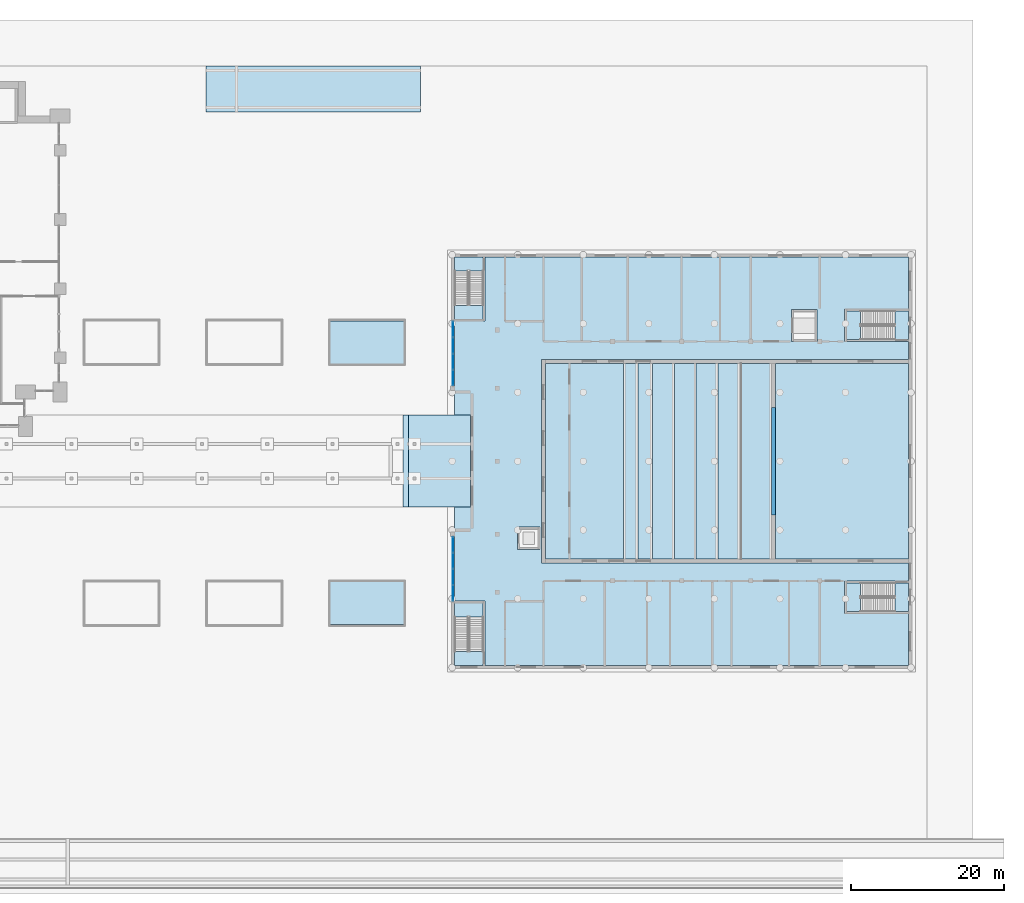
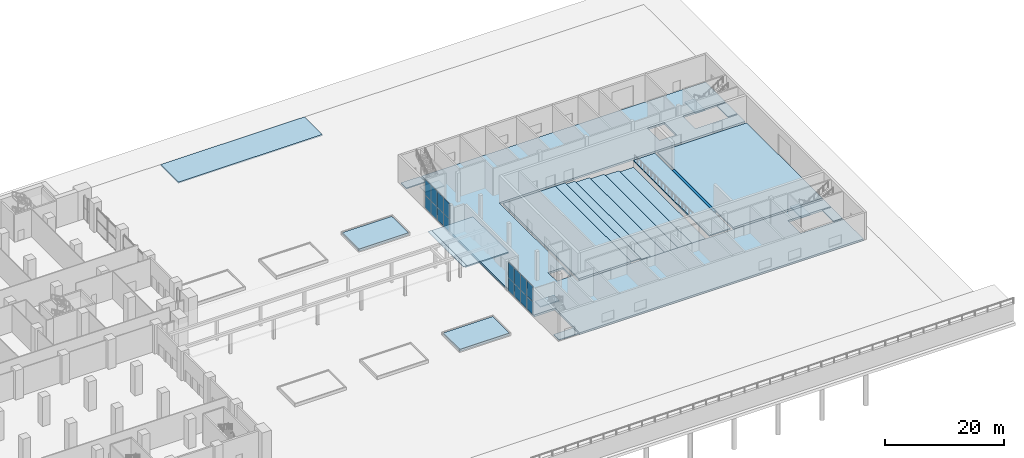
# One storey, part 12 of 47: 23 slabs, 17 plates, 6 elements without a shape of their own.
"""IFC4 building model written with IfcOpenShell, lengths in metres."""

from ifc_helpers import new_model, si_unit, direction, frame, origin, origin_2d, place, context, subcontext, project, spatial, polyline, rectangle, outline, extrude, material, layer, layer_set, type_object, element, aggregate, save


model = new_model("IFC4")

# Units and contexts
model_context = context("Model", 3, precision=1e-05, world=origin(), true_north=direction((0.0, 1.0)))
body_context = subcontext(model_context, "Body", "Model", "MODEL_VIEW")
ifc_project = project(units=[si_unit("LENGTHUNIT", "METRE"), si_unit("AREAUNIT", "SQUARE_METRE"), si_unit("VOLUMEUNIT", "CUBIC_METRE"), si_unit("PLANEANGLEUNIT", "RADIAN"), si_unit("MASSUNIT", "GRAM", prefix="KILO")], contexts=[model_context])

# Site, building, storey
site_placement = place(None, origin())
site = spatial("IfcSite", under=ifc_project, at=site_placement, CompositionType="ELEMENT")
building_placement = place(site_placement, origin())
building = spatial("IfcBuilding", under=site, at=building_placement, Name="Hunhe Ridgeline Campus", CompositionType="ELEMENT")
storey_placement = place(building_placement, origin())
storey = spatial("IfcBuildingStorey", under=building, at=storey_placement, Name="L00", CompositionType="ELEMENT", Elevation=0.0)

# Curtain wall, plates
ifc_material_1 = material(Name="Aluminium and glass", Category="aluminium")
curtain_wall_type = type_object("IfcCurtainWallType", Name="Hall foyer curtain wall CW-H", PredefinedType="NOTDEFINED", material=ifc_material_1)
curtain_wall_1_placement = place(storey_placement, origin())
curtain_wall_1 = element("IfcCurtainWall", 1, at=curtain_wall_1_placement, inside=storey, type_object=curtain_wall_type, Name="L00 foyer curtain wall 1", PredefinedType="NOTDEFINED")
ifc_material_2 = material(Name="Clear glass", Category="glass")
ifc_layer_1 = layer(ifc_material_2, 0.031982421875)
ifc_layer_set_1 = layer_set([ifc_layer_1], Name="CW-H clear glass panel 32")
plate_type_1 = type_object("IfcPlateType", Name="CW-H clear glass panel 32", PredefinedType="CURTAIN_PANEL", material=ifc_layer_set_1)
plate_1_placement = place(storey_placement, frame((150.199951171875, 32.326171875, 0.080078125), z_axis=(0.0, 0.0, 1.0), x_axis=(0.0, 1.0, 0.0)))
plate_1 = element("IfcPlate", 2, at=plate_1_placement, type_object=plate_type_1, Name="HCW1 panel 1.1", PredefinedType="CURTAIN_PANEL", context=body_context, shape_type="SweptSolid", body=[
    extrude(rectangle(XDim=1.992431640625, YDim=0.028076171875, at=origin_2d()), origin(), (0.0, 0.0, 1.0), 2.580078125),
])
plate_2_placement = place(storey_placement, frame((150.199951171875, 32.326171875, 2.740234375), z_axis=(0.0, 0.0, 1.0), x_axis=(0.0, 1.0, 0.0)))
plate_2 = element("IfcPlate", 3, at=plate_2_placement, type_object=plate_type_1, Name="HCW1 panel 1.2", PredefinedType="CURTAIN_PANEL", context=body_context, shape_type="SweptSolid", body=[
    extrude(rectangle(XDim=1.992431640625, YDim=0.028076171875, at=origin_2d()), origin(), (0.0, 0.0, 1.0), 3.179931640625),
])
plate_3_placement = place(storey_placement, frame((150.199951171875, 34.418701171875, 0.080078125), z_axis=(0.0, 0.0, 1.0), x_axis=(0.0, 1.0, 0.0)))
plate_3 = element("IfcPlate", 4, at=plate_3_placement, type_object=plate_type_1, Name="HCW1 panel 2.1", PredefinedType="CURTAIN_PANEL", context=body_context, shape_type="SweptSolid", body=[
    extrude(rectangle(XDim=2.032470703125, YDim=0.028076171875, at=origin_2d()), origin(), (0.0, 0.0, 1.0), 2.580078125),
])
plate_4_placement = place(storey_placement, frame((150.199951171875, 34.418701171875, 2.740234375), z_axis=(0.0, 0.0, 1.0), x_axis=(0.0, 1.0, 0.0)))
plate_4 = element("IfcPlate", 5, at=plate_4_placement, type_object=plate_type_1, Name="HCW1 panel 2.2", PredefinedType="CURTAIN_PANEL", context=body_context, shape_type="SweptSolid", body=[
    extrude(rectangle(XDim=2.032470703125, YDim=0.028076171875, at=origin_2d()), origin(), (0.0, 0.0, 1.0), 3.179931640625),
])
plate_5_placement = place(storey_placement, frame((150.199951171875, 36.53125, 0.080078125), z_axis=(0.0, 0.0, 1.0), x_axis=(0.0, 1.0, 0.0)))
plate_5 = element("IfcPlate", 6, at=plate_5_placement, type_object=plate_type_1, Name="HCW1 panel 3.1", PredefinedType="CURTAIN_PANEL", context=body_context, shape_type="SweptSolid", body=[
    extrude(rectangle(XDim=2.032470703125, YDim=0.028076171875, at=origin_2d()), origin(), (0.0, 0.0, 1.0), 2.580078125),
])
plate_6_placement = place(storey_placement, frame((150.199951171875, 36.53125, 2.740234375), z_axis=(0.0, 0.0, 1.0), x_axis=(0.0, 1.0, 0.0)))
plate_6 = element("IfcPlate", 7, at=plate_6_placement, type_object=plate_type_1, Name="HCW1 panel 3.2", PredefinedType="CURTAIN_PANEL", context=body_context, shape_type="SweptSolid", body=[
    extrude(rectangle(XDim=2.032470703125, YDim=0.028076171875, at=origin_2d()), origin(), (0.0, 0.0, 1.0), 3.179931640625),
])
plate_7_placement = place(storey_placement, frame((150.199951171875, 38.623779296875, 0.080078125), z_axis=(0.0, 0.0, 1.0), x_axis=(0.0, 1.0, 0.0)))
plate_7 = element("IfcPlate", 8, at=plate_7_placement, type_object=plate_type_1, Name="HCW1 panel 4.1", PredefinedType="CURTAIN_PANEL", context=body_context, shape_type="SweptSolid", body=[
    extrude(rectangle(XDim=1.992431640625, YDim=0.028076171875, at=origin_2d()), origin(), (0.0, 0.0, 1.0), 2.580078125),
])
plate_8_placement = place(storey_placement, frame((150.199951171875, 38.623779296875, 2.740234375), z_axis=(0.0, 0.0, 1.0), x_axis=(0.0, 1.0, 0.0)))
plate_8 = element("IfcPlate", 9, at=plate_8_placement, type_object=plate_type_1, Name="HCW1 panel 4.2", PredefinedType="CURTAIN_PANEL", context=body_context, shape_type="SweptSolid", body=[
    extrude(rectangle(XDim=1.992431640625, YDim=0.028076171875, at=origin_2d()), origin(), (0.0, 0.0, 1.0), 3.179931640625),
])
aggregate(curtain_wall_1, [plate_1, plate_2, plate_3, plate_4, plate_5, plate_6, plate_7, plate_8])

curtain_wall_2_placement = place(storey_placement, origin())
curtain_wall_2 = element("IfcCurtainWall", 10, at=curtain_wall_2_placement, inside=storey, type_object=curtain_wall_type, Name="L00 foyer curtain wall 2", PredefinedType="NOTDEFINED")
plate_9_placement = place(storey_placement, frame((150.199951171875, 60.376220703125, 0.080078125), z_axis=(0.0, 0.0, 1.0), x_axis=(0.0, 1.0, 0.0)))
plate_9 = element("IfcPlate", 11, at=plate_9_placement, type_object=plate_type_1, Name="HCW1 panel 1.1", PredefinedType="CURTAIN_PANEL", context=body_context, shape_type="SweptSolid", body=[
    extrude(rectangle(XDim=1.992431640625, YDim=0.028076171875, at=origin_2d()), origin(), (0.0, 0.0, 1.0), 2.580078125),
])
plate_10_placement = place(storey_placement, frame((150.199951171875, 60.376220703125, 2.740234375), z_axis=(0.0, 0.0, 1.0), x_axis=(0.0, 1.0, 0.0)))
plate_10 = element("IfcPlate", 12, at=plate_10_placement, type_object=plate_type_1, Name="HCW1 panel 1.2", PredefinedType="CURTAIN_PANEL", context=body_context, shape_type="SweptSolid", body=[
    extrude(rectangle(XDim=1.992431640625, YDim=0.028076171875, at=origin_2d()), origin(), (0.0, 0.0, 1.0), 3.179931640625),
])
plate_11_placement = place(storey_placement, frame((150.199951171875, 62.46875, 0.080078125), z_axis=(0.0, 0.0, 1.0), x_axis=(0.0, 1.0, 0.0)))
plate_11 = element("IfcPlate", 13, at=plate_11_placement, type_object=plate_type_1, Name="HCW1 panel 2.1", PredefinedType="CURTAIN_PANEL", context=body_context, shape_type="SweptSolid", body=[
    extrude(rectangle(XDim=2.032470703125, YDim=0.028076171875, at=origin_2d()), origin(), (0.0, 0.0, 1.0), 2.580078125),
])
plate_12_placement = place(storey_placement, frame((150.199951171875, 62.46875, 2.740234375), z_axis=(0.0, 0.0, 1.0), x_axis=(0.0, 1.0, 0.0)))
plate_12 = element("IfcPlate", 14, at=plate_12_placement, type_object=plate_type_1, Name="HCW1 panel 2.2", PredefinedType="CURTAIN_PANEL", context=body_context, shape_type="SweptSolid", body=[
    extrude(rectangle(XDim=2.032470703125, YDim=0.028076171875, at=origin_2d()), origin(), (0.0, 0.0, 1.0), 3.179931640625),
])
plate_13_placement = place(storey_placement, frame((150.199951171875, 64.581298828125, 0.080078125), z_axis=(0.0, 0.0, 1.0), x_axis=(0.0, 1.0, 0.0)))
plate_13 = element("IfcPlate", 15, at=plate_13_placement, type_object=plate_type_1, Name="HCW1 panel 3.1", PredefinedType="CURTAIN_PANEL", context=body_context, shape_type="SweptSolid", body=[
    extrude(rectangle(XDim=2.032470703125, YDim=0.028076171875, at=origin_2d()), origin(), (0.0, 0.0, 1.0), 2.580078125),
])
plate_14_placement = place(storey_placement, frame((150.199951171875, 64.581298828125, 2.740234375), z_axis=(0.0, 0.0, 1.0), x_axis=(0.0, 1.0, 0.0)))
plate_14 = element("IfcPlate", 16, at=plate_14_placement, type_object=plate_type_1, Name="HCW1 panel 3.2", PredefinedType="CURTAIN_PANEL", context=body_context, shape_type="SweptSolid", body=[
    extrude(rectangle(XDim=2.032470703125, YDim=0.028076171875, at=origin_2d()), origin(), (0.0, 0.0, 1.0), 3.179931640625),
])
plate_15_placement = place(storey_placement, frame((150.199951171875, 66.673828125, 0.080078125), z_axis=(0.0, 0.0, 1.0), x_axis=(0.0, 1.0, 0.0)))
plate_15 = element("IfcPlate", 17, at=plate_15_placement, type_object=plate_type_1, Name="HCW1 panel 4.1", PredefinedType="CURTAIN_PANEL", context=body_context, shape_type="SweptSolid", body=[
    extrude(rectangle(XDim=1.992431640625, YDim=0.028076171875, at=origin_2d()), origin(), (0.0, 0.0, 1.0), 2.580078125),
])
plate_16_placement = place(storey_placement, frame((150.199951171875, 66.673828125, 2.740234375), z_axis=(0.0, 0.0, 1.0), x_axis=(0.0, 1.0, 0.0)))
plate_16 = element("IfcPlate", 18, at=plate_16_placement, type_object=plate_type_1, Name="HCW1 panel 4.2", PredefinedType="CURTAIN_PANEL", context=body_context, shape_type="SweptSolid", body=[
    extrude(rectangle(XDim=1.992431640625, YDim=0.028076171875, at=origin_2d()), origin(), (0.0, 0.0, 1.0), 3.179931640625),
])
aggregate(curtain_wall_2, [plate_9, plate_10, plate_11, plate_12, plate_13, plate_14, plate_15, plate_16])

# Slabs
ifc_material_3 = material(Name="Concrete C40", Category="concrete")
ifc_layer_2 = layer(ifc_material_3, 0.25)
ifc_layer_set_2 = layer_set([ifc_layer_2], Name="Canopy roof slab 250 C40")
slab_type_1 = type_object("IfcSlabType", Name="Canopy roof slab 250 C40", PredefinedType="ROOF", material=ifc_layer_set_2)
slab_1_placement = place(storey_placement, frame((0.0, 0.0, 4.550048828125)))
element("IfcSlab", 19, at=slab_1_placement, inside=storey, type_object=slab_type_1, Name="Hall entrance porch roof slab", PredefinedType="ROOF", context=body_context, shape_type="SweptSolid", body=[
    extrude(outline(polyline([(152.5, 43.5), (152.5, 55.5), (144.050048828125, 55.5), (144.050048828125, 43.5), (152.5, 43.5)])), origin(), (0.0, 0.0, 1.0), 0.25),
])
ifc_layer_3 = layer(ifc_material_3, 0.39990234375)
ifc_layer_set_3 = layer_set([ifc_layer_3], Name="Hall ground slab 400 C40")
slab_type_2 = type_object("IfcSlabType", Name="Hall ground slab 400 C40", PredefinedType="BASESLAB", material=ifc_layer_set_3)
slab_2_placement = place(storey_placement, frame((0.0, 0.0, -0.39990234375)))
element("IfcSlab", 20, at=slab_2_placement, inside=storey, type_object=slab_type_2, Name="Hall ground slab (outside)", PredefinedType="BASESLAB", context=body_context, shape_type="SweptSolid", body=[
    extrude(outline(polyline([(209.60009765625, 22.89990234375), (209.60009765625, 29.64990234375), (201.25, 29.64990234375), (201.25, 33.89990234375), (209.60009765625, 33.89990234375), (209.60009765625, 36.25), (161.75, 36.25), (161.75, 62.75), (209.60009765625, 62.75), (209.60009765625, 65.10009765625), (201.25, 65.10009765625), (201.25, 69.35009765625), (209.60009765625, 69.35009765625), (209.60009765625, 76.10009765625), (154.39990234375, 76.10009765625), (154.39990234375, 67.75), (150.39990234375, 67.75), (150.39990234375, 31.25), (154.39990234375, 31.25), (154.39990234375, 22.89990234375), (209.60009765625, 22.89990234375)]), holes=[polyline([(158.64990234375, 40.89990234375), (158.64990234375, 38.0), (161.550048828125, 38.0), (161.550048828125, 40.89990234375), (158.64990234375, 40.89990234375)]), polyline([(194.35009765625, 65.10009765625), (197.64990234375, 65.10009765625), (197.64990234375, 69.25), (194.35009765625, 69.25), (194.35009765625, 65.10009765625)])]), origin(), (0.0, 0.0, 1.0), 0.39990234375),
])
slab_3_placement = place(storey_placement, frame((0.0, 0.0, -0.39990234375)))
element("IfcSlab", 21, at=slab_3_placement, inside=storey, type_object=slab_type_2, Name="Hall ground slab (chamber rear)", PredefinedType="BASESLAB", context=body_context, shape_type="SweptSolid", body=[
    extrude(outline(polyline([(172.39990234375, 36.75), (172.39990234375, 62.25), (162.25, 62.25), (162.25, 36.75), (172.39990234375, 36.75)])), origin(), (0.0, 0.0, 1.0), 0.39990234375),
])
slab_4_placement = place(storey_placement, frame((0.0, 0.0, -0.39990234375)))
element("IfcSlab", 22, at=slab_4_placement, inside=storey, type_object=slab_type_2, Name="Hall ground slab (stage)", PredefinedType="BASESLAB", context=body_context, shape_type="SweptSolid", body=[
    extrude(outline(polyline([(209.60009765625, 36.75), (209.60009765625, 62.25), (192.25, 62.25), (192.25, 36.75), (209.60009765625, 36.75)])), origin(), (0.0, 0.0, 1.0), 0.39990234375),
])

# Stair, slabs
stair_type = type_object("IfcStairType", Name="Hall exit stair 1800", PredefinedType="HALF_TURN_STAIR", material=ifc_material_3)
stair_1_placement = place(storey_placement, origin())
stair_1 = element("IfcStair", 23, at=stair_1_placement, inside=storey, type_object=stair_type, Name="L00 hall stair HS1", PredefinedType="HALF_TURN_STAIR")
ifc_layer_4 = layer(ifc_material_3, 0.199951171875)
ifc_layer_set_4 = layer_set([ifc_layer_4], Name="Hall stair landing 200 C40")
slab_type_3 = type_object("IfcSlabType", Name="Hall stair landing 200 C40", PredefinedType="LANDING", material=ifc_layer_set_4)
slab_5_placement = place(storey_placement, frame((0.0, 0.0, 2.800048828125)))
slab_5 = element("IfcSlab", 24, at=slab_5_placement, type_object=slab_type_3, Name="HS1 landing 1", PredefinedType="LANDING", context=body_context, shape_type="SweptSolid", body=[
    extrude(outline(polyline([(154.14990234375, 29.179931640625), (154.14990234375, 31.0), (150.39990234375, 31.0), (150.39990234375, 29.179931640625), (154.14990234375, 29.179931640625)])), origin(), (0.0, 0.0, 1.0), 0.199951171875),
])
slab_6_placement = place(storey_placement, frame((0.0, 0.0, -0.199951171875)))
slab_6 = element("IfcSlab", 25, at=slab_6_placement, type_object=slab_type_3, Name="HS1 landing 2", PredefinedType="LANDING", context=body_context, shape_type="SweptSolid", body=[
    extrude(outline(polyline([(154.14990234375, 22.89990234375), (154.14990234375, 24.699951171875), (150.39990234375, 24.699951171875), (150.39990234375, 22.89990234375), (154.14990234375, 22.89990234375)])), origin(), (0.0, 0.0, 1.0), 0.199951171875),
])
aggregate(stair_1, [slab_5, slab_6])

stair_2_placement = place(storey_placement, origin())
stair_2 = element("IfcStair", 26, at=stair_2_placement, inside=storey, type_object=stair_type, Name="L00 hall stair HS2", PredefinedType="HALF_TURN_STAIR")
slab_7_placement = place(storey_placement, frame((0.0, 0.0, 2.800048828125)))
slab_7 = element("IfcSlab", 27, at=slab_7_placement, type_object=slab_type_3, Name="HS2 landing 1", PredefinedType="LANDING", context=body_context, shape_type="SweptSolid", body=[
    extrude(outline(polyline([(150.39990234375, 69.820068359375), (150.39990234375, 68.0), (154.14990234375, 68.0), (154.14990234375, 69.820068359375), (150.39990234375, 69.820068359375)])), origin(), (0.0, 0.0, 1.0), 0.199951171875),
])
slab_8_placement = place(storey_placement, frame((0.0, 0.0, -0.199951171875)))
slab_8 = element("IfcSlab", 28, at=slab_8_placement, type_object=slab_type_3, Name="HS2 landing 2", PredefinedType="LANDING", context=body_context, shape_type="SweptSolid", body=[
    extrude(outline(polyline([(150.39990234375, 76.10009765625), (150.39990234375, 74.300048828125), (154.14990234375, 74.300048828125), (154.14990234375, 76.10009765625), (150.39990234375, 76.10009765625)])), origin(), (0.0, 0.0, 1.0), 0.199951171875),
])
aggregate(stair_2, [slab_7, slab_8])

stair_3_placement = place(storey_placement, origin())
stair_3 = element("IfcStair", 29, at=stair_3_placement, inside=storey, type_object=stair_type, Name="L00 hall stair HS3", PredefinedType="HALF_TURN_STAIR")
slab_9_placement = place(storey_placement, frame((0.0, 0.0, 2.800048828125)))
slab_9 = element("IfcSlab", 30, at=slab_9_placement, type_object=slab_type_3, Name="HS3 landing 1", PredefinedType="LANDING", context=body_context, shape_type="SweptSolid", body=[
    extrude(outline(polyline([(203.320068359375, 33.64990234375), (201.5, 33.64990234375), (201.5, 29.89990234375), (203.320068359375, 29.89990234375), (203.320068359375, 33.64990234375)])), origin(), (0.0, 0.0, 1.0), 0.199951171875),
])
slab_10_placement = place(storey_placement, frame((0.0, 0.0, -0.199951171875)))
slab_10 = element("IfcSlab", 31, at=slab_10_placement, type_object=slab_type_3, Name="HS3 landing 2", PredefinedType="LANDING", context=body_context, shape_type="SweptSolid", body=[
    extrude(outline(polyline([(209.60009765625, 33.64990234375), (207.800048828125, 33.64990234375), (207.800048828125, 29.89990234375), (209.60009765625, 29.89990234375), (209.60009765625, 33.64990234375)])), origin(), (0.0, 0.0, 1.0), 0.199951171875),
])
aggregate(stair_3, [slab_9, slab_10])

stair_4_placement = place(storey_placement, origin())
stair_4 = element("IfcStair", 32, at=stair_4_placement, inside=storey, type_object=stair_type, Name="L00 hall stair HS4", PredefinedType="HALF_TURN_STAIR")
slab_11_placement = place(storey_placement, frame((0.0, 0.0, 2.800048828125)))
slab_11 = element("IfcSlab", 33, at=slab_11_placement, type_object=slab_type_3, Name="HS4 landing 1", PredefinedType="LANDING", context=body_context, shape_type="SweptSolid", body=[
    extrude(outline(polyline([(203.320068359375, 69.10009765625), (201.5, 69.10009765625), (201.5, 65.35009765625), (203.320068359375, 65.35009765625), (203.320068359375, 69.10009765625)])), origin(), (0.0, 0.0, 1.0), 0.199951171875),
])
slab_12_placement = place(storey_placement, frame((0.0, 0.0, -0.199951171875)))
slab_12 = element("IfcSlab", 34, at=slab_12_placement, type_object=slab_type_3, Name="HS4 landing 2", PredefinedType="LANDING", context=body_context, shape_type="SweptSolid", body=[
    extrude(outline(polyline([(209.60009765625, 69.10009765625), (207.800048828125, 69.10009765625), (207.800048828125, 65.35009765625), (209.60009765625, 65.35009765625), (209.60009765625, 69.10009765625)])), origin(), (0.0, 0.0, 1.0), 0.199951171875),
])
aggregate(stair_4, [slab_11, slab_12])

# Plate
ifc_material_4 = material(Name="Steel Q235", Category="steel")
ifc_layer_5 = layer(ifc_material_4, 0.030029296875)
ifc_layer_set_5 = layer_set([ifc_layer_5], Name="Movement joint cover plate 30 Q235")
plate_type_2 = type_object("IfcPlateType", Name="Movement joint cover plate 30 Q235", PredefinedType="SHEET", material=ifc_layer_set_5)
plate_17_placement = place(storey_placement, frame((0.0, 0.0, 4.800048828125)))
element("IfcPlate", 35, at=plate_17_placement, inside=storey, type_object=plate_type_2, Name="Movement joint cover", PredefinedType="SHEET", context=body_context, shape_type="SweptSolid", body=[
    extrude(outline(polyline([(144.39990234375, 43.5), (144.39990234375, 55.5), (143.699951171875, 55.5), (143.699951171875, 43.5), (144.39990234375, 43.5)])), origin(), (0.0, 0.0, 1.0), 0.030029296875),
])

# Slabs
ifc_material_5 = material(Name="Planting soil")
ifc_layer_6 = layer(ifc_material_5, 0.449951171875)
ifc_layer_set_6 = layer_set([ifc_layer_6], Name="Planting bed soil 450")
slab_type_4 = type_object("IfcSlabType", Name="Planting bed soil 450", PredefinedType="USERDEFINED", material=ifc_layer_set_6)
slab_13_placement = place(storey_placement, origin())
element("IfcSlab", 36, at=slab_13_placement, inside=storey, type_object=slab_type_4, Name="Garden planter 3", ObjectType="PLANTER", PredefinedType="USERDEFINED", context=body_context, shape_type="SweptSolid", body=[
    extrude(outline(polyline([(143.800048828125, 28.199951171875), (143.800048828125, 33.800048828125), (134.199951171875, 33.800048828125), (134.199951171875, 28.199951171875), (143.800048828125, 28.199951171875)])), origin(), (0.0, 0.0, 1.0), 0.449951171875),
])
slab_14_placement = place(storey_placement, origin())
element("IfcSlab", 37, at=slab_14_placement, inside=storey, type_object=slab_type_4, Name="Garden planter 6", ObjectType="PLANTER", PredefinedType="USERDEFINED", context=body_context, shape_type="SweptSolid", body=[
    extrude(outline(polyline([(143.800048828125, 62.199951171875), (143.800048828125, 67.800048828125), (134.199951171875, 67.800048828125), (134.199951171875, 62.199951171875), (143.800048828125, 62.199951171875)])), origin(), (0.0, 0.0, 1.0), 0.449951171875),
])
ifc_material_6 = material(Name="Concrete C30", Category="concrete")
slab_type_5 = type_object("IfcSlabType", Name="Proscenium sill block C30", PredefinedType="FLOOR", material=ifc_material_6)
slab_15_placement = place(storey_placement, frame((0.0, 0.0, -1.800048828125)))
element("IfcSlab", 38, at=slab_15_placement, inside=storey, type_object=slab_type_5, Name="Proscenium sill", PredefinedType="FLOOR", context=body_context, shape_type="SweptSolid", body=[
    extrude(outline(polyline([(192.25, 42.5), (192.25, 56.5), (191.75, 56.5), (191.75, 42.5), (192.25, 42.5)])), origin(), (0.0, 0.0, 1.0), 1.800048828125),
])
ifc_layer_7 = layer(ifc_material_6, 0.22509765625)
ifc_layer_set_7 = layer_set([ifc_layer_7], Name="Raked seating platform 225 C30")
slab_type_6 = type_object("IfcSlabType", Name="Raked seating platform 225 C30", PredefinedType="FLOOR", material=ifc_layer_set_7)
slab_16_placement = place(storey_placement, frame((0.0, 0.0, -1.6650390625)))
element("IfcSlab", 39, at=slab_16_placement, inside=storey, type_object=slab_type_6, Name="Stalls seating step 1", PredefinedType="FLOOR", context=body_context, shape_type="SweptSolid", body=[
    extrude(outline(polyline([(187.60009765625, 36.75), (187.60009765625, 62.25), (184.75, 62.25), (184.75, 36.75), (187.60009765625, 36.75)])), origin(), (0.0, 0.0, 1.0), 0.22509765625),
])
slab_17_placement = place(storey_placement, frame((0.0, 0.0, -1.376953125)))
element("IfcSlab", 40, at=slab_17_placement, inside=storey, type_object=slab_type_6, Name="Stalls seating step 2", PredefinedType="FLOOR", context=body_context, shape_type="SweptSolid", body=[
    extrude(outline(polyline([(184.75, 36.75), (184.75, 62.25), (181.89990234375, 62.25), (181.89990234375, 36.75), (184.75, 36.75)])), origin(), (0.0, 0.0, 1.0), 0.224853515625),
])
slab_18_placement = place(storey_placement, frame((0.0, 0.0, -1.089111328125)))
element("IfcSlab", 41, at=slab_18_placement, inside=storey, type_object=slab_type_6, Name="Stalls seating step 3", PredefinedType="FLOOR", context=body_context, shape_type="SweptSolid", body=[
    extrude(outline(polyline([(181.89990234375, 36.75), (181.89990234375, 62.25), (179.050048828125, 62.25), (179.050048828125, 36.75), (181.89990234375, 36.75)])), origin(), (0.0, 0.0, 1.0), 0.22509765625),
])
slab_19_placement = place(storey_placement, frame((0.0, 0.0, -0.801025390625)))
element("IfcSlab", 42, at=slab_19_placement, inside=storey, type_object=slab_type_6, Name="Stalls seating step 4", PredefinedType="FLOOR", context=body_context, shape_type="SweptSolid", body=[
    extrude(outline(polyline([(179.050048828125, 36.75), (179.050048828125, 62.25), (176.199951171875, 62.25), (176.199951171875, 36.75), (179.050048828125, 36.75)])), origin(), (0.0, 0.0, 1.0), 0.22509765625),
])
slab_20_placement = place(storey_placement, frame((0.0, 0.0, -0.512939453125)))
element("IfcSlab", 43, at=slab_20_placement, inside=storey, type_object=slab_type_6, Name="Stalls seating step 5", PredefinedType="FLOOR", context=body_context, shape_type="SweptSolid", body=[
    extrude(outline(polyline([(176.199951171875, 36.75), (176.199951171875, 62.25), (174.300048828125, 62.25), (174.300048828125, 36.75), (176.199951171875, 36.75)])), origin(), (0.0, 0.0, 1.0), 0.224853515625),
])
slab_21_placement = place(storey_placement, frame((0.0, 0.0, -0.22509765625)))
element("IfcSlab", 44, at=slab_21_placement, inside=storey, type_object=slab_type_6, Name="Stalls seating step 6", PredefinedType="FLOOR", context=body_context, shape_type="SweptSolid", body=[
    extrude(outline(polyline([(174.300048828125, 36.75), (174.300048828125, 62.25), (172.39990234375, 62.25), (172.39990234375, 36.75), (174.300048828125, 36.75)])), origin(), (0.0, 0.0, 1.0), 0.22509765625),
])
slab_22_placement = place(storey_placement, frame((0.0, 0.0, -0.22509765625)))
element("IfcSlab", 45, at=slab_22_placement, inside=storey, type_object=slab_type_6, Name="Stage apron", PredefinedType="FLOOR", context=body_context, shape_type="SweptSolid", body=[
    extrude(outline(polyline([(191.75, 36.75), (191.75, 62.25), (187.60009765625, 62.25), (187.60009765625, 36.75), (191.75, 36.75)])), origin(), (0.0, 0.0, 1.0), 0.22509765625),
])
ifc_layer_8 = layer(ifc_material_6, 0.25)
ifc_layer_set_8 = layer_set([ifc_layer_8], Name="Site paving slab 250 C30")
slab_type_7 = type_object("IfcSlabType", Name="Site paving slab 250 C30", PredefinedType="USERDEFINED", material=ifc_layer_set_8)
slab_23_placement = place(storey_placement, frame((0.0, 0.0, -0.25)))
element("IfcSlab", 46, at=slab_23_placement, inside=storey, type_object=slab_type_7, Name="Drop-off lay-by paving", ObjectType="PAVING", PredefinedType="USERDEFINED", context=body_context, shape_type="SweptSolid", body=[
    extrude(outline(polyline([(146.0, 95.0), (146.0, 101.0), (118.0, 101.0), (118.0, 95.0), (146.0, 95.0)])), origin(), (0.0, 0.0, 1.0), 0.25),
])

save(model, "model.ifc")
